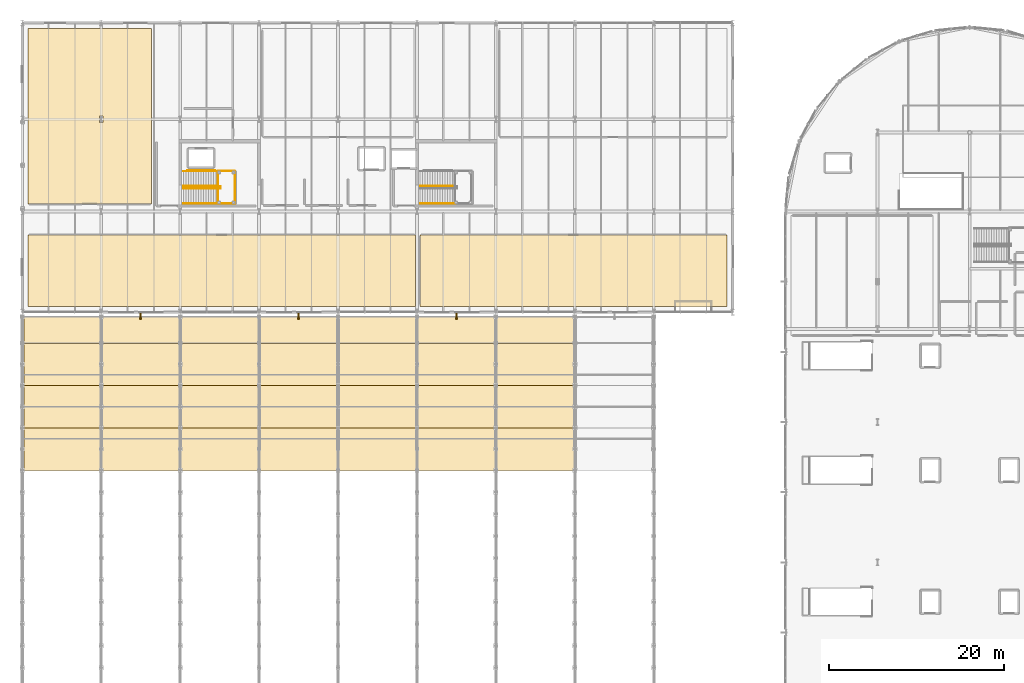
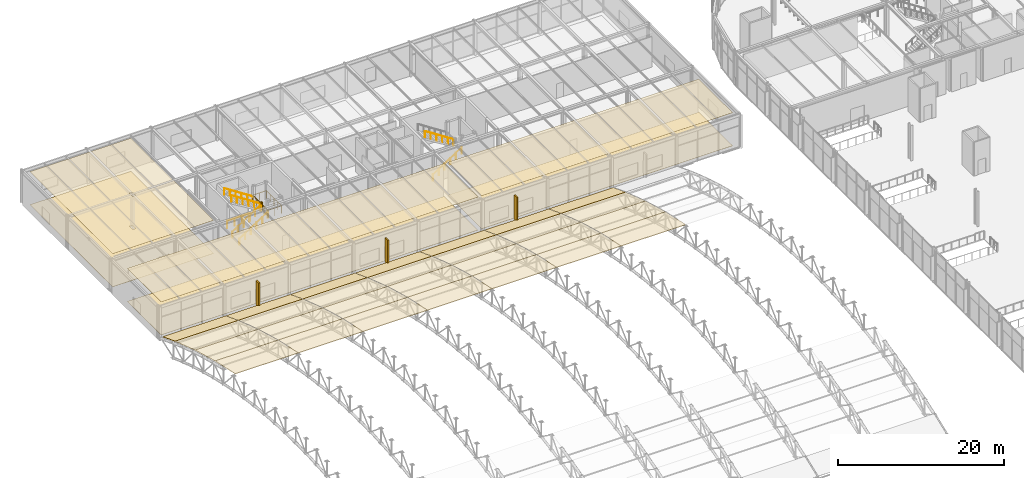
# One storey, part 176 of 195: 34 coverings, 9 railings, 3 shading devices.
"""IFC4 building model written with IfcOpenShell, lengths in metres."""

from ifc_helpers import new_model, si_unit, direction, frame, origin, origin_2d, place, context, subcontext, project, spatial, polyline, rectangle, circle, outline, extrude, material, layer, layer_set, type_object, element, save


model = new_model("IFC4")

# Units and contexts
model_context = context("Model", 3, precision=1e-05, world=origin(), true_north=direction((0.0, 1.0)))
body_context = subcontext(model_context, "Body", "Model", "MODEL_VIEW")
ifc_project = project(units=[si_unit("LENGTHUNIT", "METRE"), si_unit("AREAUNIT", "SQUARE_METRE"), si_unit("VOLUMEUNIT", "CUBIC_METRE"), si_unit("PLANEANGLEUNIT", "RADIAN"), si_unit("MASSUNIT", "GRAM", prefix="KILO")], contexts=[model_context])

# Site, building, storey
site_placement = place(None, origin())
site = spatial("IfcSite", under=ifc_project, at=site_placement, CompositionType="ELEMENT")
building_placement = place(site_placement, origin())
building = spatial("IfcBuilding", under=site, at=building_placement, Name="Marlcrest Central Station", CompositionType="ELEMENT")
storey_placement = place(building_placement, frame((0.0, 0.0, 9.800048828125)))
storey = spatial("IfcBuildingStorey", under=building, at=storey_placement, Name="L02", CompositionType="ELEMENT", Elevation=9.800048828125)

# Coverings
ifc_material_1 = material(Name="Perforated acoustic mineral-fibre ceiling")
ifc_layer_1 = layer(ifc_material_1, 0.02490234375, Name="CV-CLG")
ifc_layer_set_1 = layer_set([ifc_layer_1], Name="Perforated acoustic mineral-fibre ceiling")
covering_type_1 = type_object("IfcCoveringType", Name="CV-CLG", PredefinedType="CEILING", material=ifc_layer_set_1)
covering_1_placement = place(storey_placement, frame((0.0, 0.0, 4.875)))
element("IfcCovering", 1, at=covering_1_placement, inside=storey, type_object=covering_type_1, Name="cov-clg-0109", PredefinedType="CEILING", context=body_context, shape_type="SweptSolid", body=[
    extrude(outline(polyline([(44.840087890625, 99.659912109375), (44.840087890625, 107.840087890625), (0.659912109375, 107.840087890625), (0.659912109375, 99.659912109375), (44.840087890625, 99.659912109375)])), origin(), (0.0, 0.0, 1.0), 0.02490234375),
])
covering_2_placement = place(storey_placement, frame((0.0, 0.0, 4.875)))
element("IfcCovering", 2, at=covering_2_placement, inside=storey, type_object=covering_type_1, Name="cov-clg-0111", PredefinedType="CEILING", context=body_context, shape_type="SweptSolid", body=[
    extrude(outline(polyline([(80.340087890625, 99.659912109375), (80.340087890625, 107.840087890625), (45.360107421875, 107.840087890625), (45.360107421875, 99.659912109375), (80.340087890625, 99.659912109375)])), origin(), (0.0, 0.0, 1.0), 0.02490234375),
])
covering_3_placement = place(storey_placement, frame((0.0, 0.0, 4.875)))
element("IfcCovering", 3, at=covering_3_placement, inside=storey, type_object=covering_type_1, Name="cov-clg-0113", PredefinedType="CEILING", context=body_context, shape_type="SweptSolid", body=[
    extrude(outline(polyline([(0.659912109375, 111.360107421875), (0.659912109375, 131.340087890625), (14.739990234375, 131.340087890625), (14.739990234375, 111.360107421875), (0.659912109375, 111.360107421875)]), holes=[polyline([(9.2099609375, 121.385009765625), (8.7900390625, 121.385009765625), (8.7900390625, 120.614990234375), (9.2099609375, 120.614990234375), (9.2099609375, 121.385009765625)])]), origin(), (0.0, 0.0, 1.0), 0.02490234375),
])
ifc_material_2 = material(Name="Polished terrazzo and tactile transit flooring")
ifc_layer_2 = layer(ifc_material_2, 0.030029296875, Name="CV-FLR")
ifc_layer_set_2 = layer_set([ifc_layer_2], Name="Polished terrazzo and tactile transit flooring")
covering_type_2 = type_object("IfcCoveringType", Name="CV-FLR", PredefinedType="FLOORING", material=ifc_layer_set_2)
covering_4_placement = place(storey_placement, origin())
element("IfcCovering", 4, at=covering_4_placement, inside=storey, type_object=covering_type_2, Name="cov-flr-0110", PredefinedType="FLOORING", context=body_context, shape_type="SweptSolid", body=[
    extrude(outline(polyline([(44.840087890625, 99.659912109375), (44.840087890625, 107.840087890625), (0.659912109375, 107.840087890625), (0.659912109375, 99.659912109375), (44.840087890625, 99.659912109375)])), origin(), (0.0, 0.0, 1.0), 0.030029296875),
])
covering_5_placement = place(storey_placement, origin())
element("IfcCovering", 5, at=covering_5_placement, inside=storey, type_object=covering_type_2, Name="cov-flr-0112", PredefinedType="FLOORING", context=body_context, shape_type="SweptSolid", body=[
    extrude(outline(polyline([(80.340087890625, 99.659912109375), (80.340087890625, 107.840087890625), (45.360107421875, 107.840087890625), (45.360107421875, 99.659912109375), (80.340087890625, 99.659912109375)])), origin(), (0.0, 0.0, 1.0), 0.030029296875),
])
covering_6_placement = place(storey_placement, origin())
element("IfcCovering", 6, at=covering_6_placement, inside=storey, type_object=covering_type_2, Name="cov-flr-0114", PredefinedType="FLOORING", context=body_context, shape_type="SweptSolid", body=[
    extrude(outline(polyline([(0.659912109375, 111.360107421875), (0.659912109375, 131.340087890625), (14.739990234375, 131.340087890625), (14.739990234375, 111.360107421875), (0.659912109375, 111.360107421875)]), holes=[polyline([(9.2099609375, 121.385009765625), (8.7900390625, 121.385009765625), (8.7900390625, 120.614990234375), (9.2099609375, 120.614990234375), (9.2099609375, 121.385009765625)])]), origin(), (0.0, 0.0, 1.0), 0.030029296875),
])
ifc_material_3 = material(Name="Standing-seam marine-coated aluminium roofing", Category="aluminium")
ifc_layer_3 = layer(ifc_material_3, 0.06494140625, Name="CV-RF2")
ifc_layer_set_3 = layer_set([ifc_layer_3], Name="Standing-seam marine-coated aluminium roofing")
covering_type_3 = type_object("IfcCoveringType", Name="CV-RF2", PredefinedType="ROOFING", material=ifc_layer_set_3)
covering_7_placement = place(storey_placement, frame((0.219970703125, 81.0, 5.8037109375), z_axis=(0.0, 0.211209052667, 0.977440911806), x_axis=(1.0, 0.0, 0.0)))
element("IfcCovering", 7, at=covering_7_placement, inside=storey, type_object=covering_type_3, Name="cov-shed-0015", PredefinedType="ROOFING", context=body_context, shape_type="SweptSolid", body=[
    extrude(outline(polyline([(0.0, 0.0), (8.780029296875, 0.0), (8.780029296875, 4.941555102371799), (0.0, 4.941555102371799), (0.0, 0.0)])), origin(), (0.0, 0.0, -1.0), 0.06494140625),
])
covering_8_placement = place(storey_placement, frame((0.219970703125, 85.830078125, 4.760009765625), z_axis=(0.0, 0.266214119485, 0.96391391866), x_axis=(1.0, 0.0, 0.0)))
element("IfcCovering", 8, at=covering_8_placement, inside=storey, type_object=covering_type_3, Name="cov-shed-0016", PredefinedType="ROOFING", context=body_context, shape_type="SweptSolid", body=[
    extrude(outline(polyline([(0.0, 0.0), (8.780029296875, 0.0), (8.780029296875, 5.021033161059523), (0.0, 5.021033161059523), (0.0, 0.0)])), origin(), (0.0, 0.0, -1.0), 0.06494140625),
])
covering_9_placement = place(storey_placement, frame((0.219970703125, 90.669921875, 3.42333984375), z_axis=(0.0, 0.318569719273, 0.94789943241), x_axis=(1.0, 0.0, 0.0)))
element("IfcCovering", 9, at=covering_9_placement, inside=storey, type_object=covering_type_3, Name="cov-shed-0017", PredefinedType="ROOFING", context=body_context, shape_type="SweptSolid", body=[
    extrude(outline(polyline([(0.0, 0.0), (8.780029296875, 0.0), (8.780029296875, 5.095559676327259), (0.0, 5.095559676327259), (0.0, 0.0)])), origin(), (0.0, 0.0, -1.0), 0.06494140625),
])
covering_10_placement = place(storey_placement, frame((0.219970703125, 95.5, 1.800048828125), z_axis=(0.0, 0.359101225901, 0.933298617569), x_axis=(1.0, 0.0, 0.0)))
element("IfcCovering", 10, at=covering_10_placement, inside=storey, type_object=covering_type_3, Name="cov-shed-0018", PredefinedType="ROOFING", context=body_context, shape_type="SweptSolid", body=[
    extrude(outline(polyline([(0.0, 0.0), (8.780029296875, 0.0), (8.780029296875, 3.2144052755735024), (0.0, 3.2144052755735024), (0.0, 0.0)])), origin(), (0.0, 0.0, -1.0), 0.06494140625),
])
covering_11_placement = place(storey_placement, frame((9.0, 81.0, 5.8037109375), z_axis=(0.0, 0.211209052667, 0.977440911806), x_axis=(1.0, 0.0, 0.0)))
element("IfcCovering", 11, at=covering_11_placement, inside=storey, type_object=covering_type_3, Name="cov-shed-0029", PredefinedType="ROOFING", context=body_context, shape_type="SweptSolid", body=[
    extrude(outline(polyline([(0.0, 0.0), (9.0, 0.0), (9.0, 4.941555102371799), (0.0, 4.941555102371799), (0.0, 0.0)])), origin(), (0.0, 0.0, -1.0), 0.06494140625),
])
covering_12_placement = place(storey_placement, frame((9.0, 85.830078125, 4.760009765625), z_axis=(0.0, 0.266214119485, 0.96391391866), x_axis=(1.0, 0.0, 0.0)))
element("IfcCovering", 12, at=covering_12_placement, inside=storey, type_object=covering_type_3, Name="cov-shed-0030", PredefinedType="ROOFING", context=body_context, shape_type="SweptSolid", body=[
    extrude(outline(polyline([(0.0, 0.0), (9.0, 0.0), (9.0, 5.021033161059522), (0.0, 5.021033161059522), (0.0, 0.0)])), origin(), (0.0, 0.0, -1.0), 0.06494140625),
])
covering_13_placement = place(storey_placement, frame((9.0, 90.669921875, 3.42333984375), z_axis=(0.0, 0.318569719273, 0.94789943241), x_axis=(1.0, 0.0, 0.0)))
element("IfcCovering", 13, at=covering_13_placement, inside=storey, type_object=covering_type_3, Name="cov-shed-0031", PredefinedType="ROOFING", context=body_context, shape_type="SweptSolid", body=[
    extrude(outline(polyline([(0.0, 0.0), (9.0, 0.0), (9.0, 5.095559676327259), (0.0, 5.095559676327259), (0.0, 0.0)])), origin(), (0.0, 0.0, -1.0), 0.06494140625),
])
covering_14_placement = place(storey_placement, frame((9.0, 95.5, 1.800048828125), z_axis=(0.0, 0.359101225901, 0.933298617569), x_axis=(1.0, 0.0, 0.0)))
element("IfcCovering", 14, at=covering_14_placement, inside=storey, type_object=covering_type_3, Name="cov-shed-0032", PredefinedType="ROOFING", context=body_context, shape_type="SweptSolid", body=[
    extrude(outline(polyline([(0.0, 0.0), (9.0, 0.0), (9.0, 3.2144052755735024), (0.0, 3.2144052755735024), (0.0, 0.0)])), origin(), (0.0, 0.0, -1.0), 0.06494140625),
])
covering_15_placement = place(storey_placement, frame((18.0, 81.0, 5.8037109375), z_axis=(0.0, 0.211209052667, 0.977440911806), x_axis=(1.0, 0.0, 0.0)))
element("IfcCovering", 15, at=covering_15_placement, inside=storey, type_object=covering_type_3, Name="cov-shed-0043", PredefinedType="ROOFING", context=body_context, shape_type="SweptSolid", body=[
    extrude(outline(polyline([(0.0, 0.0), (9.0, 0.0), (9.0, 4.941555102371799), (0.0, 4.941555102371799), (0.0, 0.0)])), origin(), (0.0, 0.0, -1.0), 0.06494140625),
])
covering_16_placement = place(storey_placement, frame((18.0, 85.830078125, 4.760009765625), z_axis=(0.0, 0.266214119485, 0.96391391866), x_axis=(1.0, 0.0, 0.0)))
element("IfcCovering", 16, at=covering_16_placement, inside=storey, type_object=covering_type_3, Name="cov-shed-0044", PredefinedType="ROOFING", context=body_context, shape_type="SweptSolid", body=[
    extrude(outline(polyline([(0.0, 0.0), (9.0, 0.0), (9.0, 5.021033161059522), (0.0, 5.021033161059522), (0.0, 0.0)])), origin(), (0.0, 0.0, -1.0), 0.06494140625),
])
covering_17_placement = place(storey_placement, frame((18.0, 90.669921875, 3.42333984375), z_axis=(0.0, 0.318569719273, 0.94789943241), x_axis=(1.0, 0.0, 0.0)))
element("IfcCovering", 17, at=covering_17_placement, inside=storey, type_object=covering_type_3, Name="cov-shed-0045", PredefinedType="ROOFING", context=body_context, shape_type="SweptSolid", body=[
    extrude(outline(polyline([(0.0, 0.0), (9.0, 0.0), (9.0, 5.095559676327259), (0.0, 5.095559676327259), (0.0, 0.0)])), origin(), (0.0, 0.0, -1.0), 0.06494140625),
])
covering_18_placement = place(storey_placement, frame((18.0, 95.5, 1.800048828125), z_axis=(0.0, 0.359101225901, 0.933298617569), x_axis=(1.0, 0.0, 0.0)))
element("IfcCovering", 18, at=covering_18_placement, inside=storey, type_object=covering_type_3, Name="cov-shed-0046", PredefinedType="ROOFING", context=body_context, shape_type="SweptSolid", body=[
    extrude(outline(polyline([(0.0, 0.0), (9.0, 0.0), (9.0, 3.2144052755735024), (0.0, 3.2144052755735024), (0.0, 0.0)])), origin(), (0.0, 0.0, -1.0), 0.06494140625),
])
covering_19_placement = place(storey_placement, frame((27.0, 81.0, 5.8037109375), z_axis=(0.0, 0.211209052667, 0.977440911806), x_axis=(1.0, 0.0, 0.0)))
element("IfcCovering", 19, at=covering_19_placement, inside=storey, type_object=covering_type_3, Name="cov-shed-0057", PredefinedType="ROOFING", context=body_context, shape_type="SweptSolid", body=[
    extrude(outline(polyline([(0.0, 0.0), (9.0, 0.0), (9.0, 4.941555102371799), (0.0, 4.941555102371799), (0.0, 0.0)])), origin(), (0.0, 0.0, -1.0), 0.06494140625),
])
covering_20_placement = place(storey_placement, frame((27.0, 85.830078125, 4.760009765625), z_axis=(0.0, 0.266214119485, 0.96391391866), x_axis=(1.0, 0.0, 0.0)))
element("IfcCovering", 20, at=covering_20_placement, inside=storey, type_object=covering_type_3, Name="cov-shed-0058", PredefinedType="ROOFING", context=body_context, shape_type="SweptSolid", body=[
    extrude(outline(polyline([(0.0, 0.0), (9.0, 0.0), (9.0, 5.021033161059522), (0.0, 5.021033161059522), (0.0, 0.0)])), origin(), (0.0, 0.0, -1.0), 0.06494140625),
])
covering_21_placement = place(storey_placement, frame((27.0, 90.669921875, 3.42333984375), z_axis=(0.0, 0.318569719273, 0.94789943241), x_axis=(1.0, 0.0, 0.0)))
element("IfcCovering", 21, at=covering_21_placement, inside=storey, type_object=covering_type_3, Name="cov-shed-0059", PredefinedType="ROOFING", context=body_context, shape_type="SweptSolid", body=[
    extrude(outline(polyline([(0.0, 0.0), (9.0, 0.0), (9.0, 5.095559676327259), (0.0, 5.095559676327259), (0.0, 0.0)])), origin(), (0.0, 0.0, -1.0), 0.06494140625),
])
covering_22_placement = place(storey_placement, frame((27.0, 95.5, 1.800048828125), z_axis=(0.0, 0.359101225901, 0.933298617569), x_axis=(1.0, 0.0, 0.0)))
element("IfcCovering", 22, at=covering_22_placement, inside=storey, type_object=covering_type_3, Name="cov-shed-0060", PredefinedType="ROOFING", context=body_context, shape_type="SweptSolid", body=[
    extrude(outline(polyline([(0.0, 0.0), (9.0, 0.0), (9.0, 3.2144052755735024), (0.0, 3.2144052755735024), (0.0, 0.0)])), origin(), (0.0, 0.0, -1.0), 0.06494140625),
])
covering_23_placement = place(storey_placement, frame((36.0, 81.0, 5.8037109375), z_axis=(0.0, 0.211209052667, 0.977440911806), x_axis=(1.0, 0.0, 0.0)))
element("IfcCovering", 23, at=covering_23_placement, inside=storey, type_object=covering_type_3, Name="cov-shed-0071", PredefinedType="ROOFING", context=body_context, shape_type="SweptSolid", body=[
    extrude(outline(polyline([(0.0, 0.0), (9.0, 0.0), (9.0, 4.941555102371799), (0.0, 4.941555102371799), (0.0, 0.0)])), origin(), (0.0, 0.0, -1.0), 0.06494140625),
])
covering_24_placement = place(storey_placement, frame((36.0, 85.830078125, 4.760009765625), z_axis=(0.0, 0.266214119485, 0.96391391866), x_axis=(1.0, 0.0, 0.0)))
element("IfcCovering", 24, at=covering_24_placement, inside=storey, type_object=covering_type_3, Name="cov-shed-0072", PredefinedType="ROOFING", context=body_context, shape_type="SweptSolid", body=[
    extrude(outline(polyline([(0.0, 0.0), (9.0, 0.0), (9.0, 5.021033161059522), (0.0, 5.021033161059522), (0.0, 0.0)])), origin(), (0.0, 0.0, -1.0), 0.06494140625),
])
covering_25_placement = place(storey_placement, frame((36.0, 90.669921875, 3.42333984375), z_axis=(0.0, 0.318569719273, 0.94789943241), x_axis=(1.0, 0.0, 0.0)))
element("IfcCovering", 25, at=covering_25_placement, inside=storey, type_object=covering_type_3, Name="cov-shed-0073", PredefinedType="ROOFING", context=body_context, shape_type="SweptSolid", body=[
    extrude(outline(polyline([(0.0, 0.0), (9.0, 0.0), (9.0, 5.095559676327259), (0.0, 5.095559676327259), (0.0, 0.0)])), origin(), (0.0, 0.0, -1.0), 0.06494140625),
])
covering_26_placement = place(storey_placement, frame((36.0, 95.5, 1.800048828125), z_axis=(0.0, 0.359101225901, 0.933298617569), x_axis=(1.0, 0.0, 0.0)))
element("IfcCovering", 26, at=covering_26_placement, inside=storey, type_object=covering_type_3, Name="cov-shed-0074", PredefinedType="ROOFING", context=body_context, shape_type="SweptSolid", body=[
    extrude(outline(polyline([(0.0, 0.0), (9.0, 0.0), (9.0, 3.2144052755735024), (0.0, 3.2144052755735024), (0.0, 0.0)])), origin(), (0.0, 0.0, -1.0), 0.06494140625),
])
covering_27_placement = place(storey_placement, frame((45.0, 81.0, 5.8037109375), z_axis=(0.0, 0.211209052667, 0.977440911806), x_axis=(1.0, 0.0, 0.0)))
element("IfcCovering", 27, at=covering_27_placement, inside=storey, type_object=covering_type_3, Name="cov-shed-0085", PredefinedType="ROOFING", context=body_context, shape_type="SweptSolid", body=[
    extrude(outline(polyline([(0.0, 0.0), (9.0, 0.0), (9.0, 4.941555102371799), (0.0, 4.941555102371799), (0.0, 0.0)])), origin(), (0.0, 0.0, -1.0), 0.06494140625),
])
covering_28_placement = place(storey_placement, frame((45.0, 85.830078125, 4.760009765625), z_axis=(0.0, 0.266214119485, 0.96391391866), x_axis=(1.0, 0.0, 0.0)))
element("IfcCovering", 28, at=covering_28_placement, inside=storey, type_object=covering_type_3, Name="cov-shed-0086", PredefinedType="ROOFING", context=body_context, shape_type="SweptSolid", body=[
    extrude(outline(polyline([(0.0, 0.0), (9.0, 0.0), (9.0, 5.021033161059522), (0.0, 5.021033161059522), (0.0, 0.0)])), origin(), (0.0, 0.0, -1.0), 0.06494140625),
])
covering_29_placement = place(storey_placement, frame((45.0, 90.669921875, 3.42333984375), z_axis=(0.0, 0.318569719273, 0.94789943241), x_axis=(1.0, 0.0, 0.0)))
element("IfcCovering", 29, at=covering_29_placement, inside=storey, type_object=covering_type_3, Name="cov-shed-0087", PredefinedType="ROOFING", context=body_context, shape_type="SweptSolid", body=[
    extrude(outline(polyline([(0.0, 0.0), (9.0, 0.0), (9.0, 5.095559676327259), (0.0, 5.095559676327259), (0.0, 0.0)])), origin(), (0.0, 0.0, -1.0), 0.06494140625),
])
covering_30_placement = place(storey_placement, frame((45.0, 95.5, 1.800048828125), z_axis=(0.0, 0.359101225901, 0.933298617569), x_axis=(1.0, 0.0, 0.0)))
element("IfcCovering", 30, at=covering_30_placement, inside=storey, type_object=covering_type_3, Name="cov-shed-0088", PredefinedType="ROOFING", context=body_context, shape_type="SweptSolid", body=[
    extrude(outline(polyline([(0.0, 0.0), (9.0, 0.0), (9.0, 3.2144052755735024), (0.0, 3.2144052755735024), (0.0, 0.0)])), origin(), (0.0, 0.0, -1.0), 0.06494140625),
])
covering_31_placement = place(storey_placement, frame((54.0, 81.0, 5.8037109375), z_axis=(0.0, 0.211209052667, 0.977440911806), x_axis=(1.0, 0.0, 0.0)))
element("IfcCovering", 31, at=covering_31_placement, inside=storey, type_object=covering_type_3, Name="cov-shed-0099", PredefinedType="ROOFING", context=body_context, shape_type="SweptSolid", body=[
    extrude(outline(polyline([(0.0, 0.0), (9.0, 0.0), (9.0, 4.941555102371799), (0.0, 4.941555102371799), (0.0, 0.0)])), origin(), (0.0, 0.0, -1.0), 0.06494140625),
])
covering_32_placement = place(storey_placement, frame((54.0, 85.830078125, 4.760009765625), z_axis=(0.0, 0.266214119485, 0.96391391866), x_axis=(1.0, 0.0, 0.0)))
element("IfcCovering", 32, at=covering_32_placement, inside=storey, type_object=covering_type_3, Name="cov-shed-0100", PredefinedType="ROOFING", context=body_context, shape_type="SweptSolid", body=[
    extrude(outline(polyline([(0.0, 0.0), (9.0, 0.0), (9.0, 5.021033161059522), (0.0, 5.021033161059522), (0.0, 0.0)])), origin(), (0.0, 0.0, -1.0), 0.06494140625),
])
covering_33_placement = place(storey_placement, frame((54.0, 90.669921875, 3.42333984375), z_axis=(0.0, 0.318569719273, 0.94789943241), x_axis=(1.0, 0.0, 0.0)))
element("IfcCovering", 33, at=covering_33_placement, inside=storey, type_object=covering_type_3, Name="cov-shed-0101", PredefinedType="ROOFING", context=body_context, shape_type="SweptSolid", body=[
    extrude(outline(polyline([(0.0, 0.0), (9.0, 0.0), (9.0, 5.095559676327259), (0.0, 5.095559676327259), (0.0, 0.0)])), origin(), (0.0, 0.0, -1.0), 0.06494140625),
])
covering_34_placement = place(storey_placement, frame((54.0, 95.5, 1.800048828125), z_axis=(0.0, 0.359101225901, 0.933298617569), x_axis=(1.0, 0.0, 0.0)))
element("IfcCovering", 34, at=covering_34_placement, inside=storey, type_object=covering_type_3, Name="cov-shed-0102", PredefinedType="ROOFING", context=body_context, shape_type="SweptSolid", body=[
    extrude(outline(polyline([(0.0, 0.0), (9.0, 0.0), (9.0, 3.2144052755735024), (0.0, 3.2144052755735024), (0.0, 0.0)])), origin(), (0.0, 0.0, -1.0), 0.06494140625),
])

# Railings
ifc_material_4 = material(Name="Stainless steel and laminated glass concourse balustrade", Category="steel")
railing_type_1 = type_object("IfcRailingType", Name="GR-02", PredefinedType="BALUSTRADE", material=ifc_material_4)
railing_1_placement = place(storey_placement, frame((22.320068359375, 111.409912109375, 2.599853515625)))
element("IfcRailing", 35, at=railing_1_placement, inside=storey, type_object=railing_type_1, Name="hr-L02-00260", PredefinedType="BALUSTRADE", context=body_context, shape_type="SweptSolid", body=[
    extrude(circle(Radius=0.02392578125, at=origin_2d()), frame((0.0, 0.0, 1.09619140625), z_axis=(1.0, 0.0, 0.0), x_axis=(0.0, 1.0, 0.0)), (0.0, 0.0, 1.0), 1.919921875),
    extrude(circle(Radius=0.02392578125, at=origin_2d()), frame((1.919921875, 0.0, 1.09619140625), z_axis=(0.0, 1.0, 0.0), x_axis=(-1.0, 0.0, 0.0)), (0.0, 0.0, 1.0), 3.68017578125),
    extrude(circle(Radius=0.02392578125, at=origin_2d()), frame((1.919921875, 3.68017578125, 1.09619140625), z_axis=(-1.0, 0.0, 0.0), x_axis=(0.0, -1.0, 0.0)), (0.0, 0.0, 1.0), 1.919921875),
    extrude(circle(Radius=0.02099609375, at=origin_2d()), origin(), (0.0, 0.0, 1.0), 1.072021484375),
    extrude(circle(Radius=0.02099609375, at=origin_2d()), frame((0.9599609375, 0.0, 0.0)), (0.0, 0.0, 1.0), 1.072021484375),
    extrude(circle(Radius=0.02099609375, at=origin_2d()), frame((1.919921875, 0.0, 0.0)), (0.0, 0.0, 1.0), 1.072021484375),
    extrude(circle(Radius=0.02099609375, at=origin_2d()), frame((1.919921875, 0.919921875, 0.0)), (0.0, 0.0, 1.0), 1.072021484375),
    extrude(circle(Radius=0.02099609375, at=origin_2d()), frame((1.919921875, 1.840087890625, 0.0)), (0.0, 0.0, 1.0), 1.072021484375),
    extrude(circle(Radius=0.02099609375, at=origin_2d()), frame((1.919921875, 2.76025390625, 0.0)), (0.0, 0.0, 1.0), 1.072021484375),
    extrude(circle(Radius=0.02099609375, at=origin_2d()), frame((1.919921875, 3.68017578125, 0.0)), (0.0, 0.0, 1.0), 1.072021484375),
    extrude(circle(Radius=0.02099609375, at=origin_2d()), frame((0.9599609375, 3.68017578125, 0.0)), (0.0, 0.0, 1.0), 1.072021484375),
    extrude(circle(Radius=0.02099609375, at=origin_2d()), frame((0.0, 3.68017578125, 0.0)), (0.0, 0.0, 1.0), 1.072021484375),
])
railing_2_placement = place(storey_placement, frame((21.991943359375, 115.159912109375, 0.0)))
element("IfcRailing", 36, at=railing_2_placement, inside=storey, type_object=railing_type_1, Name="hr-L02-00319", PredefinedType="BALUSTRADE", context=body_context, shape_type="SweptSolid", body=[
    extrude(circle(Radius=0.02392578125, at=origin_2d()), frame((0.0, 0.0, 1.09619140625), z_axis=(-1.0, 0.0, 0.0), x_axis=(0.0, -1.0, 0.0)), (0.0, 0.0, 1.0), 3.171875),
    extrude(circle(Radius=0.02099609375, at=origin_2d()), origin(), (0.0, 0.0, 1.0), 1.072021484375),
    extrude(circle(Radius=0.02099609375, at=origin_2d()), frame((-1.057373046875, 0.0, 0.0)), (0.0, 0.0, 1.0), 1.072021484375),
    extrude(circle(Radius=0.02099609375, at=origin_2d()), frame((-2.114501953125, 0.0, 0.0)), (0.0, 0.0, 1.0), 1.072021484375),
    extrude(circle(Radius=0.02099609375, at=origin_2d()), frame((-3.171875, 0.0, 0.0)), (0.0, 0.0, 1.0), 1.072021484375),
])
railing_3_placement = place(storey_placement, frame((22.340087890625, 111.659912109375, 2.599853515625)))
element("IfcRailing", 37, at=railing_3_placement, inside=storey, type_object=railing_type_1, Name="hr-L02-00604", PredefinedType="BALUSTRADE", context=body_context, shape_type="SweptSolid", body=[
    extrude(circle(Radius=0.02392578125, at=origin_2d()), frame((0.0, 0.0, 1.09619140625), z_axis=(0.0, 1.0, 0.0), x_axis=(-1.0, 0.0, 0.0)), (0.0, 0.0, 1.0), 1.469970703125),
    extrude(circle(Radius=0.02392578125, at=origin_2d()), frame((0.0, 1.469970703125, 1.09619140625), z_axis=(1.0, 0.0, 0.0), x_axis=(0.0, 1.0, 0.0)), (0.0, 0.0, 1.0), 0.25),
    extrude(circle(Radius=0.02392578125, at=origin_2d()), frame((0.25, 1.469970703125, 1.09619140625), z_axis=(0.0, 1.0, 0.0), x_axis=(-1.0, 0.0, 0.0)), (0.0, 0.0, 1.0), 0.240234375),
    extrude(circle(Radius=0.02392578125, at=origin_2d()), frame((0.25, 1.710205078125, 1.09619140625), z_axis=(-1.0, 0.0, 0.0), x_axis=(0.0, -1.0, 0.0)), (0.0, 0.0, 1.0), 0.25),
    extrude(circle(Radius=0.02392578125, at=origin_2d()), frame((0.0, 1.710205078125, 1.09619140625), z_axis=(0.0, 1.0, 0.0), x_axis=(-1.0, 0.0, 0.0)), (0.0, 0.0, 1.0), 1.469970703125),
    extrude(circle(Radius=0.02099609375, at=origin_2d()), origin(), (0.0, 0.0, 1.0), 1.072021484375),
    extrude(circle(Radius=0.02099609375, at=origin_2d()), frame((0.0, 0.73486328125, 0.0)), (0.0, 0.0, 1.0), 1.072021484375),
    extrude(circle(Radius=0.02099609375, at=origin_2d()), frame((0.0, 1.469970703125, 0.0)), (0.0, 0.0, 1.0), 1.072021484375),
    extrude(circle(Radius=0.02099609375, at=origin_2d()), frame((0.25, 1.469970703125, 0.0)), (0.0, 0.0, 1.0), 1.072021484375),
    extrude(circle(Radius=0.02099609375, at=origin_2d()), frame((0.25, 1.710205078125, 0.0)), (0.0, 0.0, 1.0), 1.072021484375),
    extrude(circle(Radius=0.02099609375, at=origin_2d()), frame((0.0, 1.710205078125, 0.0)), (0.0, 0.0, 1.0), 1.072021484375),
    extrude(circle(Radius=0.02099609375, at=origin_2d()), frame((0.0, 2.4453125, 0.0)), (0.0, 0.0, 1.0), 1.072021484375),
    extrude(circle(Radius=0.02099609375, at=origin_2d()), frame((0.0, 3.18017578125, 0.0)), (0.0, 0.0, 1.0), 1.072021484375),
])
ifc_material_5 = material(Name="Brushed stainless steel handrail", Category="steel")
railing_type_2 = type_object("IfcRailingType", Name="HR-01", PredefinedType="HANDRAIL", material=ifc_material_5)
railing_4_placement = place(storey_placement, frame((18.3701171875, 111.419921875, 0.0)))
element("IfcRailing", 38, at=railing_4_placement, inside=storey, type_object=railing_type_2, Name="hr-L02-00256", PredefinedType="HANDRAIL", context=body_context, shape_type="SweptSolid", body=[
    extrude(circle(Radius=0.02392578125, at=origin_2d()), frame((0.0, 0.0, 0.89599609375), z_axis=(0.837832859484, 0.0, 0.545926826204), x_axis=(0.0, 1.0, 0.0)), (0.0, 0.0, 1.0), 4.76220703125),
    extrude(circle(Radius=0.02099609375, at=origin_2d()), origin(), (0.0, 0.0, 1.0), 0.871826171875),
    extrude(circle(Radius=0.02099609375, at=origin_2d()), frame((0.798095703125, 0.0, 0.52001953125)), (0.0, 0.0, 1.0), 0.871826171875),
    extrude(circle(Radius=0.02099609375, at=origin_2d()), frame((1.595947265625, 0.0, 1.0400390625)), (0.0, 0.0, 1.0), 0.871826171875),
    extrude(circle(Radius=0.02099609375, at=origin_2d()), frame((2.39404296875, 0.0, 1.559814453125)), (0.0, 0.0, 1.0), 0.871826171875),
    extrude(circle(Radius=0.02099609375, at=origin_2d()), frame((3.19189453125, 0.0, 2.079833984375)), (0.0, 0.0, 1.0), 0.871826171875),
    extrude(circle(Radius=0.02099609375, at=origin_2d()), frame((3.989990234375, 0.0, 2.599853515625)), (0.0, 0.0, 1.0), 0.871826171875),
])
railing_5_placement = place(storey_placement, frame((22.360107421875, 113.3798828125, 2.599853515625)))
element("IfcRailing", 39, at=railing_5_placement, inside=storey, type_object=railing_type_2, Name="hr-L02-00257", PredefinedType="HANDRAIL", context=body_context, shape_type="SweptSolid", body=[
    extrude(circle(Radius=0.02392578125, at=origin_2d()), frame((0.0, 0.0, 0.89599609375), z_axis=(-0.83780941074, 0.0, 0.545962811257), x_axis=(0.0, -1.0, 0.0)), (0.0, 0.0, 1.0), 4.762451171875),
    extrude(circle(Radius=0.02099609375, at=origin_2d()), origin(), (0.0, 0.0, 1.0), 0.871826171875),
    extrude(circle(Radius=0.02099609375, at=origin_2d()), frame((-0.798095703125, 0.0, 0.52001953125)), (0.0, 0.0, 1.0), 0.871826171875),
    extrude(circle(Radius=0.02099609375, at=origin_2d()), frame((-1.595947265625, 0.0, 1.0400390625)), (0.0, 0.0, 1.0), 0.871826171875),
    extrude(circle(Radius=0.02099609375, at=origin_2d()), frame((-2.39404296875, 0.0, 1.56005859375)), (0.0, 0.0, 1.0), 0.871826171875),
    extrude(circle(Radius=0.02099609375, at=origin_2d()), frame((-3.19189453125, 0.0, 2.080078125)), (0.0, 0.0, 1.0), 0.871826171875),
    extrude(circle(Radius=0.02099609375, at=origin_2d()), frame((-3.989990234375, 0.0, 2.60009765625)), (0.0, 0.0, 1.0), 0.871826171875),
])
railing_6_placement = place(storey_placement, frame((18.3701171875, 113.1201171875, 0.0)))
element("IfcRailing", 40, at=railing_6_placement, inside=storey, type_object=railing_type_2, Name="hr-L02-00258", PredefinedType="HANDRAIL", context=body_context, shape_type="SweptSolid", body=[
    extrude(circle(Radius=0.02392578125, at=origin_2d()), frame((0.0, 0.0, 0.89599609375), z_axis=(0.837832859484, 0.0, 0.545926826204), x_axis=(0.0, 1.0, 0.0)), (0.0, 0.0, 1.0), 4.76220703125),
    extrude(circle(Radius=0.02099609375, at=origin_2d()), origin(), (0.0, 0.0, 1.0), 0.871826171875),
    extrude(circle(Radius=0.02099609375, at=origin_2d()), frame((0.798095703125, 0.0, 0.52001953125)), (0.0, 0.0, 1.0), 0.871826171875),
    extrude(circle(Radius=0.02099609375, at=origin_2d()), frame((1.595947265625, 0.0, 1.0400390625)), (0.0, 0.0, 1.0), 0.871826171875),
    extrude(circle(Radius=0.02099609375, at=origin_2d()), frame((2.39404296875, 0.0, 1.559814453125)), (0.0, 0.0, 1.0), 0.871826171875),
    extrude(circle(Radius=0.02099609375, at=origin_2d()), frame((3.19189453125, 0.0, 2.079833984375)), (0.0, 0.0, 1.0), 0.871826171875),
    extrude(circle(Radius=0.02099609375, at=origin_2d()), frame((3.989990234375, 0.0, 2.599853515625)), (0.0, 0.0, 1.0), 0.871826171875),
])
railing_7_placement = place(storey_placement, frame((22.360107421875, 115.080078125, 2.599853515625)))
element("IfcRailing", 41, at=railing_7_placement, inside=storey, type_object=railing_type_2, Name="hr-L02-00259", PredefinedType="HANDRAIL", context=body_context, shape_type="SweptSolid", body=[
    extrude(circle(Radius=0.02392578125, at=origin_2d()), frame((0.0, 0.0, 0.89599609375), z_axis=(-0.83780941074, 0.0, 0.545962811257), x_axis=(0.0, -1.0, 0.0)), (0.0, 0.0, 1.0), 4.762451171875),
    extrude(circle(Radius=0.02099609375, at=origin_2d()), origin(), (0.0, 0.0, 1.0), 0.871826171875),
    extrude(circle(Radius=0.02099609375, at=origin_2d()), frame((-0.798095703125, 0.0, 0.52001953125)), (0.0, 0.0, 1.0), 0.871826171875),
    extrude(circle(Radius=0.02099609375, at=origin_2d()), frame((-1.595947265625, 0.0, 1.0400390625)), (0.0, 0.0, 1.0), 0.871826171875),
    extrude(circle(Radius=0.02099609375, at=origin_2d()), frame((-2.39404296875, 0.0, 1.56005859375)), (0.0, 0.0, 1.0), 0.871826171875),
    extrude(circle(Radius=0.02099609375, at=origin_2d()), frame((-3.19189453125, 0.0, 2.080078125)), (0.0, 0.0, 1.0), 0.871826171875),
    extrude(circle(Radius=0.02099609375, at=origin_2d()), frame((-3.989990234375, 0.0, 2.60009765625)), (0.0, 0.0, 1.0), 0.871826171875),
])
railing_8_placement = place(storey_placement, frame((45.3701171875, 111.419921875, 0.0)))
element("IfcRailing", 42, at=railing_8_placement, inside=storey, type_object=railing_type_2, Name="hr-L02-00261", PredefinedType="HANDRAIL", context=body_context, shape_type="SweptSolid", body=[
    extrude(circle(Radius=0.02392578125, at=origin_2d()), frame((0.0, 0.0, 0.89599609375), z_axis=(0.837832859484, 0.0, 0.545926826204), x_axis=(0.0, 1.0, 0.0)), (0.0, 0.0, 1.0), 4.76220703125),
    extrude(circle(Radius=0.02099609375, at=origin_2d()), origin(), (0.0, 0.0, 1.0), 0.871826171875),
    extrude(circle(Radius=0.02099609375, at=origin_2d()), frame((0.798095703125, 0.0, 0.52001953125)), (0.0, 0.0, 1.0), 0.871826171875),
    extrude(circle(Radius=0.02099609375, at=origin_2d()), frame((1.595947265625, 0.0, 1.0400390625)), (0.0, 0.0, 1.0), 0.871826171875),
    extrude(circle(Radius=0.02099609375, at=origin_2d()), frame((2.39404296875, 0.0, 1.559814453125)), (0.0, 0.0, 1.0), 0.871826171875),
    extrude(circle(Radius=0.02099609375, at=origin_2d()), frame((3.19189453125, 0.0, 2.079833984375)), (0.0, 0.0, 1.0), 0.871826171875),
    extrude(circle(Radius=0.02099609375, at=origin_2d()), frame((3.989990234375, 0.0, 2.599853515625)), (0.0, 0.0, 1.0), 0.871826171875),
])
railing_9_placement = place(storey_placement, frame((49.360107421875, 113.3798828125, 2.599853515625)))
element("IfcRailing", 43, at=railing_9_placement, inside=storey, type_object=railing_type_2, Name="hr-L02-00262", PredefinedType="HANDRAIL", context=body_context, shape_type="SweptSolid", body=[
    extrude(circle(Radius=0.02392578125, at=origin_2d()), frame((0.0, 0.0, 0.89599609375), z_axis=(-0.83780941074, 0.0, 0.545962811257), x_axis=(0.0, -1.0, 0.0)), (0.0, 0.0, 1.0), 4.762451171875),
    extrude(circle(Radius=0.02099609375, at=origin_2d()), origin(), (0.0, 0.0, 1.0), 0.871826171875),
    extrude(circle(Radius=0.02099609375, at=origin_2d()), frame((-0.798095703125, 0.0, 0.52001953125)), (0.0, 0.0, 1.0), 0.871826171875),
    extrude(circle(Radius=0.02099609375, at=origin_2d()), frame((-1.595947265625, 0.0, 1.0400390625)), (0.0, 0.0, 1.0), 0.871826171875),
    extrude(circle(Radius=0.02099609375, at=origin_2d()), frame((-2.39404296875, 0.0, 1.56005859375)), (0.0, 0.0, 1.0), 0.871826171875),
    extrude(circle(Radius=0.02099609375, at=origin_2d()), frame((-3.19189453125, 0.0, 2.080078125)), (0.0, 0.0, 1.0), 0.871826171875),
    extrude(circle(Radius=0.02099609375, at=origin_2d()), frame((-3.989990234375, 0.0, 2.60009765625)), (0.0, 0.0, 1.0), 0.871826171875),
])

# Shading devices
ifc_material_6 = material(Name="Precast concrete C40/50", Category="concrete")
shading_device_type = type_object("IfcShadingDeviceType", Name="SD-BS1", PredefinedType="USERDEFINED", material=ifc_material_6)
for number, where, z_axis, x_axis, name in (
    (44, (13.5, 98.550048828125, 0.474853515625), (0.0, 0.0, 1.0), (1.0, 0.0, 0.0), "shd-L02-0043"),
    (45, (31.5, 98.550048828125, 0.474853515625), (0.0, 0.0, 1.0), (1.0, 0.0, 0.0), "shd-L02-0044"),
    (46, (49.5, 98.550048828125, 0.474853515625), (0.0, 0.0, 1.0), (1.0, 0.0, 0.0), "shd-L02-0045"),
):
    element("IfcShadingDevice", number, at=place(storey_placement, frame(where, z_axis=z_axis, x_axis=x_axis)), inside=storey, type_object=shading_device_type, Name=name, ObjectType="BRISE_SOLEIL", PredefinedType="USERDEFINED", context=body_context, shape_type="SweptSolid", body=[
        extrude(rectangle(XDim=0.179931640625, YDim=0.64990234375, at=origin_2d()), origin(), (0.0, 0.0, 1.0), 3.60009765625),
    ])

save(model, "model.ifc")
